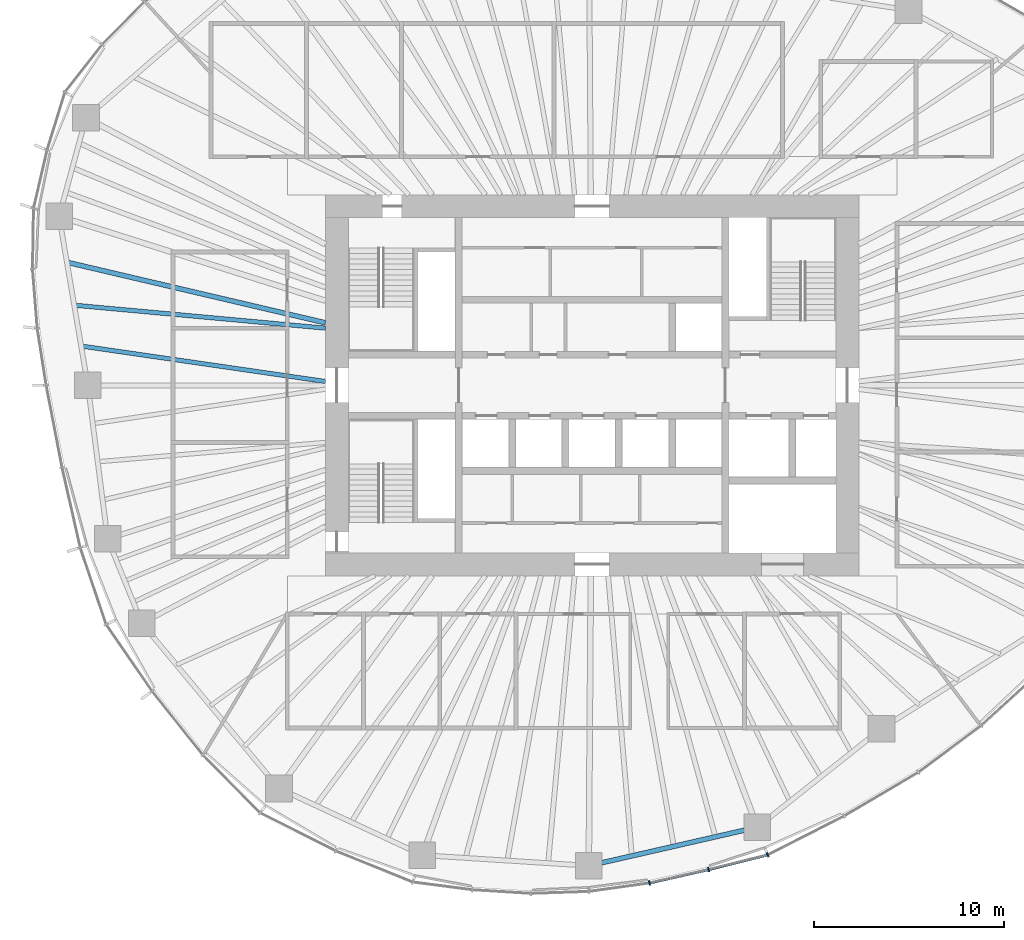
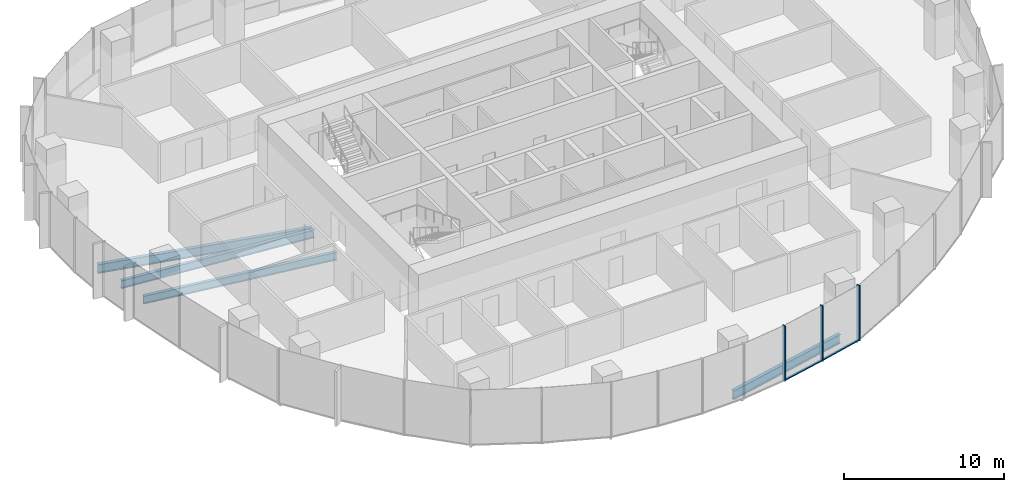
# One storey, part 3 of 18: 5 members, 4 beams, 2 elements without a shape of their own.
"""IFC4 building model written with IfcOpenShell, lengths in metres."""

from ifc_helpers import new_model, si_unit, direction, frame, origin, origin_2d, place, context, subcontext, project, spatial, rectangle, i_section, extrude, material, material_profile, profile_set, type_object, element, aggregate, save


model = new_model("IFC4")

# Units and contexts
model_context = context("Model", 3, precision=1e-05, world=origin(), true_north=direction((0.0, 1.0)))
body_context = subcontext(model_context, "Body", "Model", "MODEL_VIEW")
ifc_project = project(units=[si_unit("LENGTHUNIT", "METRE"), si_unit("AREAUNIT", "SQUARE_METRE"), si_unit("VOLUMEUNIT", "CUBIC_METRE"), si_unit("PLANEANGLEUNIT", "RADIAN"), si_unit("MASSUNIT", "GRAM", prefix="KILO")], contexts=[model_context])

# Site, building, storey
site_placement = place(None, origin())
site = spatial("IfcSite", under=ifc_project, at=site_placement, CompositionType="ELEMENT")
building_placement = place(site_placement, origin())
building = spatial("IfcBuilding", under=site, at=building_placement, Name="Ghaith Harvest Tower", CompositionType="ELEMENT")
storey_placement = place(building_placement, frame((0.0, 0.0, 176.39990234375)))
storey = spatial("IfcBuildingStorey", under=building, at=storey_placement, Name="L38", CompositionType="ELEMENT", Elevation=176.39990234375)

# Curtain wall, members
ifc_material_1 = material(Name="Black anodised aluminium and fritted glass", Category="aluminium")
curtain_wall_type = type_object("IfcCurtainWallType", Name="CW-L CURTAIN WALL", PredefinedType="NOTDEFINED", material=ifc_material_1)
curtain_wall_1_placement = place(storey_placement, origin())
curtain_wall_1 = element("IfcCurtainWall", 1, at=curtain_wall_1_placement, inside=storey, type_object=curtain_wall_type, Name="Curtain wall CW-L bay 16 L38", PredefinedType="NOTDEFINED")
ifc_material_2 = material(Name="Aluminium, black anodised", Category="aluminium")
ifc_material_profile_1 = material_profile(ifc_material_2, rectangle(XDim=0.080078125, YDim=0.239990234375, at=origin_2d()), Name="CW-L MULLION 80x240")
ifc_profile_set_1 = profile_set([ifc_material_profile_1], Name="Aluminium, black anodised")
member_type_1 = type_object("IfcMemberType", Name="CW-L MULLION 80x240", PredefinedType="MULLION", material=ifc_profile_set_1)
member_1_placement = place(storey_placement, frame((3.010009765625, -26.12939453125, 0.0), z_axis=(0.0, 0.0, 1.0), x_axis=(0.983806317978, 0.179234842337, 0.0)))
member_1 = element("IfcMember", 2, at=member_1_placement, type_object=member_type_1, Name="CW-L mullion 2 bay 16 L38", PredefinedType="MULLION", context=body_context, shape_type="SweptSolid", body=[
    extrude(rectangle(XDim=0.080078125, YDim=0.239990234375, at=origin_2d()), origin(), (0.0, 0.0, 1.0), 4.2001953125),
])
member_2_placement = place(storey_placement, frame((6.1201171875, -25.425537109375, 0.0), z_axis=(0.0, 0.0, 1.0), x_axis=(0.972918144681, 0.231149916179, 0.0)))
member_2 = element("IfcMember", 3, at=member_2_placement, type_object=member_type_1, Name="CW-L mullion 3 bay 16 L38", PredefinedType="MULLION", context=body_context, shape_type="SweptSolid", body=[
    extrude(rectangle(XDim=0.080078125, YDim=0.239990234375, at=origin_2d()), origin(), (0.0, 0.0, 1.0), 4.2001953125),
])

# Curtain wall, member
curtain_wall_2_placement = place(storey_placement, origin())
curtain_wall_2 = element("IfcCurtainWall", 4, at=curtain_wall_2_placement, inside=storey, type_object=curtain_wall_type, Name="Curtain wall CW-L bay 17 L38", PredefinedType="NOTDEFINED")
member_3_placement = place(storey_placement, frame((9.216796875, -24.654541015625, 0.0), z_axis=(0.0, 0.0, 1.0), x_axis=(0.929831847154, 0.367984695358, 0.0)))
member_3 = element("IfcMember", 5, at=member_3_placement, type_object=member_type_1, Name="CW-L mullion 1 bay 17 L38", PredefinedType="MULLION", context=body_context, shape_type="SweptSolid", body=[
    extrude(rectangle(XDim=0.080078125, YDim=0.239990234375, at=origin_2d()), origin(), (0.0, 0.0, 1.0), 4.2001953125),
])
aggregate(curtain_wall_2, [member_3])

# Member
ifc_material_3 = material(Name="Aluminium, black anodised", Category="aluminium")
ifc_material_profile_2 = material_profile(ifc_material_3, rectangle(XDim=0.14990234375, YDim=0.080078125, at=origin_2d()), Name="CW-L TRANSOM 150x80")
ifc_profile_set_2 = profile_set([ifc_material_profile_2], Name="Aluminium, black anodised")
member_type_2 = type_object("IfcMemberType", Name="CW-L TRANSOM 150x80", PredefinedType="USERDEFINED", material=ifc_profile_set_2)
member_4_placement = place(storey_placement, frame((3.048828125, -26.120361328125, 0.0400390625), z_axis=(0.975352213651, 0.22065370907, 0.0), x_axis=(-0.22065370907, 0.975352213651, 0.0)))
member_4 = element("IfcMember", 6, at=member_4_placement, type_object=member_type_2, Name="CW-L transom 2 bay 16 L38", ObjectType="TRANSOM", PredefinedType="USERDEFINED", context=body_context, shape_type="SweptSolid", body=[
    extrude(rectangle(XDim=0.14990234375, YDim=0.080078125, at=origin_2d()), origin(), (0.0, 0.0, 1.0), 3.109130859375),
])

member_5_placement = place(storey_placement, frame((6.158935546875, -25.415771484375, 0.0400390625), z_axis=(0.97039125345, 0.241538434265, 0.0), x_axis=(-0.241538434265, 0.97039125345, 0.0)))
member_5 = element("IfcMember", 7, at=member_5_placement, type_object=member_type_2, Name="CW-L transom 3 bay 16 L38", ObjectType="TRANSOM", PredefinedType="USERDEFINED", context=body_context, shape_type="SweptSolid", body=[
    extrude(rectangle(XDim=0.14990234375, YDim=0.080078125, at=origin_2d()), origin(), (0.0, 0.0, 1.0), 3.111083984375),
])

aggregate(curtain_wall_1, [member_1, member_4, member_2, member_5])

# Beams
ifc_material_4 = material(Name="Steel ASTM A992 Grade 50", Category="steel")
ifc_material_profile_3 = material_profile(ifc_material_4, i_section(OverallWidth=0.25390625, OverallDepth=0.68408203125, WebThickness=0.012451171875, FlangeThickness=0.018798828125, at=origin_2d()), Name="W690X140")
ifc_profile_set_3 = profile_set([ifc_material_profile_3], Name="Steel ASTM A992 Grade 50")
beam_type_1 = type_object("IfcBeamType", Name="E690-140 W690X140", PredefinedType="SPANDREL", material=ifc_profile_set_3)
beam_1_placement = place(storey_placement, frame((-0.173095703125, -25.22412109375, -0.511962890625), z_axis=(0.974881709383, 0.22272326486, 0.0), x_axis=(-0.22272326486, 0.974881709383, 0.0)))
element("IfcBeam", 8, at=beam_1_placement, inside=storey, type_object=beam_type_1, Name="Edge beam E16 L38", PredefinedType="SPANDREL", context=body_context, shape_type="SweptSolid", body=[
    extrude(i_section(OverallWidth=0.25390625, OverallDepth=0.68408203125, WebThickness=0.012451171875, FlangeThickness=0.018798828125, at=origin_2d()), origin(), (0.0, 0.0, 1.0), 9.0751953125),
])
ifc_material_5 = material(Name="Steel ASTM A992 Grade 50", Category="steel")
ifc_material_profile_4 = material_profile(ifc_material_5, i_section(OverallWidth=0.22900390625, OverallDepth=0.612060546875, WebThickness=0.011962890625, FlangeThickness=0.01953125, at=origin_2d()), Name="W610X125")
ifc_profile_set_4 = profile_set([ifc_material_profile_4], Name="Steel ASTM A992 Grade 50")
beam_type_2 = type_object("IfcBeamType", Name="J610-125 W610X125", PredefinedType="JOIST", material=ifc_profile_set_4)
beam_2_placement = place(storey_placement, frame((-14.0, 3.0, -0.475830078125), z_axis=(-0.995849123151, 0.091019360137, 0.0), x_axis=(-0.091019360137, -0.995849123151, 0.0)))
element("IfcBeam", 9, at=beam_2_placement, inside=storey, type_object=beam_type_2, Name="Joist J10.2 L38", PredefinedType="JOIST", context=body_context, shape_type="SweptSolid", body=[
    extrude(i_section(OverallWidth=0.22900390625, OverallDepth=0.612060546875, WebThickness=0.011962890625, FlangeThickness=0.01953125, at=origin_2d()), origin(), (0.0, 0.0, 1.0), 13.2451171875),
])
beam_3_placement = place(storey_placement, frame((-14.0, 0.199951171875, -0.475830078125), z_axis=(-0.989622120656, 0.143694322465, 0.0), x_axis=(-0.143694322465, -0.989622120656, 0.0)))
element("IfcBeam", 10, at=beam_3_placement, inside=storey, type_object=beam_type_2, Name="Joist J10.3 L38", PredefinedType="JOIST", context=body_context, shape_type="SweptSolid", body=[
    extrude(i_section(OverallWidth=0.22900390625, OverallDepth=0.612060546875, WebThickness=0.011962890625, FlangeThickness=0.01953125, at=origin_2d()), origin(), (0.0, 0.0, 1.0), 12.960205078125),
])
ifc_material_6 = material(Name="Steel ASTM A992 Grade 50", Category="steel")
ifc_material_profile_5 = material_profile(ifc_material_6, i_section(OverallWidth=0.25390625, OverallDepth=0.68408203125, WebThickness=0.012451171875, FlangeThickness=0.018798828125, at=origin_2d()), Name="W690X140")
ifc_profile_set_5 = profile_set([ifc_material_profile_5], Name="Steel ASTM A992 Grade 50")
beam_type_3 = type_object("IfcBeamType", Name="J690-140 W690X140", PredefinedType="JOIST", material=ifc_profile_set_5)
beam_4_placement = place(storey_placement, frame((-14.0, 3.280517578125, -0.511962890625), z_axis=(-0.973623240284, 0.228161753978, 0.0), x_axis=(-0.228161753978, -0.973623240284, 0.0)))
element("IfcBeam", 11, at=beam_4_placement, inside=storey, type_object=beam_type_3, Name="Joist J10.1 L38", PredefinedType="JOIST", context=body_context, shape_type="SweptSolid", body=[
    extrude(i_section(OverallWidth=0.25390625, OverallDepth=0.68408203125, WebThickness=0.012451171875, FlangeThickness=0.018798828125, at=origin_2d()), origin(), (0.0, 0.0, 1.0), 13.94140625),
])

save(model, "model.ifc")
